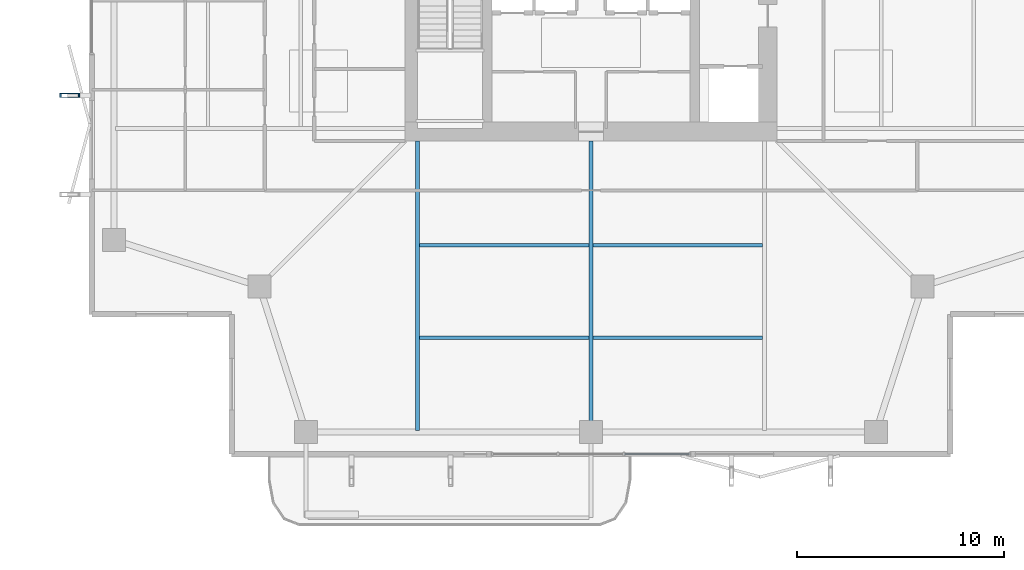
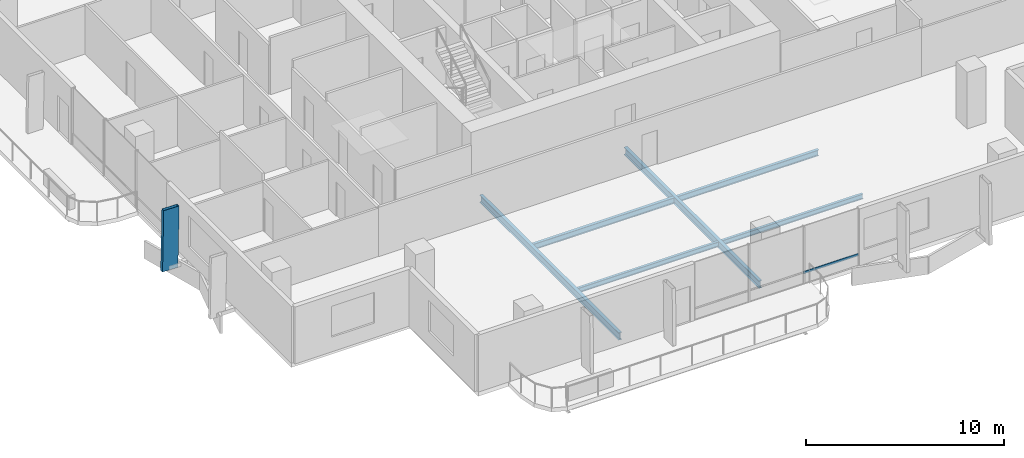
# One storey, part 3 of 25: 6 beams, 2 members, 1 element without a shape of its own.
"""IFC4 building model written with IfcOpenShell, lengths in metres."""

import ifcopenshell
import ifcopenshell.guid

model = None  # the IFC model being written
_history = None  # IfcOwnerHistory: only IFC2X3 demands one
_inside = {}  # id of a spatial element -> (the spatial element, [elements in it])
_under = {}  # id of a project, library or spatial element -> (it, [spatial elements below it])
_declared = {}  # id of a project -> (the project, [libraries it declares])
_typed = {}  # id of a type object -> (the type object, [elements of that type])
_made_of = {}  # id of a material, layer set ... -> (it, [elements and type objects made of it])


def new_model(schema):
    """Start an empty IFC model of exactly this schema.

    Asked for "IFC4X3", IfcOpenShell would pick the latest addendum, in which some entities
    have other attributes; the version numbers below select the first issue.
    IFC2X3 requires an IfcOwnerHistory on every rooted entity: one is made here for all.
    """
    global model, _history
    if schema == "IFC4X3":
        model = ifcopenshell.file(schema_version=(4, 3, 0, 0))
    else:
        model = ifcopenshell.file(schema=schema)
    _inside.clear()
    _under.clear()
    _declared.clear()
    _typed.clear()
    _made_of.clear()
    _history = None
    if model.schema == "IFC2X3":
        org = make("IfcOrganization", Name="unknown")
        user = make(
            "IfcPersonAndOrganization",
            ThePerson=make("IfcPerson", FamilyName="unknown"),
            TheOrganization=org,
        )
        app = make(
            "IfcApplication",
            ApplicationDeveloper=org,
            Version="unknown",
            ApplicationFullName="unknown",
            ApplicationIdentifier="unknown",
        )
        _history = make(
            "IfcOwnerHistory",
            OwningUser=user,
            OwningApplication=app,
            ChangeAction="ADDED",
            CreationDate=0,
        )
    return model


def make(cls, **values):
    """One entity of the class cls with the attributes given. An attribute that is None is left unset."""
    return model.create_entity(
        cls, **{name: value for name, value in values.items() if value is not None}
    )


def rooted(cls, **values):
    """An entity with a GlobalId (a new one), such as an element, a storey or a relation."""
    return make(cls, GlobalId=ifcopenshell.guid.new(), OwnerHistory=_history, **values)


def si_unit(unit_type, name, prefix=None):
    """IfcSIUnit, for example si_unit("LENGTHUNIT", "METRE", prefix="MILLI")."""
    return make("IfcSIUnit", UnitType=unit_type, Prefix=prefix, Name=name)


def assignment(units):
    """IfcUnitAssignment: the units of a project."""
    return None if units is None else make("IfcUnitAssignment", Units=units)


def point(xyz):
    """IfcCartesianPoint."""
    return None if xyz is None else make("IfcCartesianPoint", Coordinates=xyz)


def direction(xyz):
    """IfcDirection."""
    return None if xyz is None else make("IfcDirection", DirectionRatios=xyz)


def frame(location, z_axis=None, x_axis=None):
    """IfcAxis2Placement3D, a coordinate frame: its origin and axes. An axis left out is left unset."""
    return make(
        "IfcAxis2Placement3D",
        Location=point(location),
        Axis=direction(z_axis),
        RefDirection=direction(x_axis),
    )


def frame_2d(location, x_axis=None):
    """IfcAxis2Placement2D, a coordinate frame in the plane: its origin and x axis."""
    return make(
        "IfcAxis2Placement2D", Location=point(location), RefDirection=direction(x_axis)
    )


def origin():
    """The frame at (0, 0, 0) with its axes left unset."""
    return frame((0.0, 0.0, 0.0))


def origin_2d():
    """The frame at (0, 0) in the plane with its x axis left unset."""
    return frame_2d((0.0, 0.0))


def place(relative_to, where):
    """IfcLocalPlacement: puts the frame where relative to a parent placement (None: the world)."""
    return make(
        "IfcLocalPlacement", PlacementRelTo=relative_to, RelativePlacement=where
    )


def context(
    kind, dimensions, precision=None, world=None, true_north=None, identifier=None
):
    """IfcGeometricRepresentationContext, for example the 3D "Model" context."""
    return make(
        "IfcGeometricRepresentationContext",
        ContextIdentifier=identifier,
        ContextType=kind,
        CoordinateSpaceDimension=dimensions,
        Precision=precision,
        WorldCoordinateSystem=world,
        TrueNorth=true_north,
    )


def subcontext(parent, identifier, kind, view, scale=None):
    """IfcGeometricRepresentationSubContext, for example "Body" below "Model"."""
    return make(
        "IfcGeometricRepresentationSubContext",
        ContextIdentifier=identifier,
        ContextType=kind,
        ParentContext=parent,
        TargetScale=scale,
        TargetView=view,
    )


def project(units=None, contexts=None):
    """IfcProject with its units and contexts."""
    return rooted(
        "IfcProject",
        Name="project",
        RepresentationContexts=contexts,
        UnitsInContext=assignment(units),
    )


def spatial(cls, under=None, at=None, **own):
    """A site, building, storey or space (cls), placed at a placement, below another one or the project."""
    s = rooted(cls, ObjectPlacement=at, **own)
    if under is not None:
        _under.setdefault(under.id(), (under, []))[1].append(s)
    return s


def profile(cls, at=None, kind="AREA", **sizes):
    """A parametric profile (cls). Its sizes go by their IFC names, for example OverallWidth=200.0."""
    return make(cls, ProfileType=kind, Position=at, **sizes)


def hollow_rectangle(**sizes):
    """IfcRectangleHollowProfileDef."""
    return profile("IfcRectangleHollowProfileDef", **sizes)


def i_section(**sizes):
    """IfcIShapeProfileDef."""
    return profile("IfcIShapeProfileDef", **sizes)


def extrude(swept, where, along, depth):
    """IfcExtrudedAreaSolid: the profile swept, set in the frame where, extruded along a direction by depth."""
    return make(
        "IfcExtrudedAreaSolid",
        SweptArea=swept,
        Position=where,
        ExtrudedDirection=direction(along),
        Depth=depth,
    )


def shape(context_of_items, identifier, shape_type, items):
    """IfcShapeRepresentation: the items that make up one representation, for example the "Body"."""
    return make(
        "IfcShapeRepresentation",
        ContextOfItems=context_of_items,
        RepresentationIdentifier=identifier,
        RepresentationType=shape_type,
        Items=items,
    )


def material(Name=None, Category=None):
    """IfcMaterial."""
    return make("IfcMaterial", Name=Name, Category=Category)


def layer(
    of_material, thickness, ventilated=None, Name=None, Category=None, Priority=None
):
    """IfcMaterialLayer: one layer of a wall or slab, of a material (None: an air gap)."""
    return make(
        "IfcMaterialLayer",
        Material=of_material,
        LayerThickness=thickness,
        IsVentilated=ventilated,
        Name=Name,
        Category=Category,
        Priority=Priority,
    )


def layer_set(layers, Name=None):
    """IfcMaterialLayerSet."""
    return make("IfcMaterialLayerSet", MaterialLayers=layers, LayerSetName=Name)


def material_profile(
    of_material, cross_section, Name=None, Category=None, Priority=None
):
    """IfcMaterialProfile: a cross section and its material."""
    return make(
        "IfcMaterialProfile",
        Name=Name,
        Material=of_material,
        Profile=cross_section,
        Priority=Priority,
        Category=Category,
    )


def profile_set(profiles, Name=None, composite=None):
    """IfcMaterialProfileSet."""
    return make(
        "IfcMaterialProfileSet",
        Name=Name,
        MaterialProfiles=profiles,
        CompositeProfile=composite,
    )


def made_of(thing, what):
    """Note that an element or type object is made of a material, layer set ...; save() writes the relation."""
    if what is not None:
        _made_of.setdefault(what.id(), (what, []))[1].append(thing)
    return thing


def type_object(cls, material=None, **own):
    """A type object (cls), such as IfcWallType, which elements share."""
    return made_of(rooted(cls, **own), material)


def element(
    cls,
    number,
    at=None,
    inside=None,
    cuts=None,
    type_object=None,
    material=None,
    context=None,
    identifier="Body",
    shape_type=None,
    held_by="IfcProductDefinitionShape",
    body=None,
    shapes=None,
    **own,
):
    """One element of the class cls, such as IfcWall. Its Tag is "e" and its number.

    at: its placement. inside: the storey or other place that contains it. cuts: it is an
    opening in that element (IfcRelVoidsElement). A single representation is given by context,
    identifier, shape_type and body (its items); several are given by shapes. held_by: the class
    of the entity that holds the representations. save() writes the other relations.
    """
    e = rooted(cls, Tag="e%d" % number, ObjectPlacement=at, **own)
    if body is not None:
        shapes = [shape(context, identifier, shape_type, body)]
    if shapes is not None:
        e.Representation = make(held_by, Representations=shapes)
    if inside is not None:
        _inside.setdefault(inside.id(), (inside, []))[1].append(e)
    if cuts is not None:
        rooted(
            "IfcRelVoidsElement", RelatingBuildingElement=cuts, RelatedOpeningElement=e
        )
    if type_object is not None:
        _typed.setdefault(type_object.id(), (type_object, []))[1].append(e)
    return made_of(e, material)


def aggregate(whole, parts):
    """IfcRelAggregates: a whole, such as a stair, and the parts it consists of."""
    return rooted("IfcRelAggregates", RelatingObject=whole, RelatedObjects=parts)


def save(model, path):
    """Write the relations noted so far, then the file.

    IfcRelAggregates (storeys below a building ...), IfcRelContainedInSpatialStructure (elements
    in a storey), IfcRelDefinesByType, IfcRelAssociatesMaterial and IfcRelDeclares: one each for
    every whole, place, type object, material and project.
    """
    for whole, parts in _under.values():
        aggregate(whole, parts)
    for where, things in _inside.values():
        rooted(
            "IfcRelContainedInSpatialStructure",
            RelatedElements=things,
            RelatingStructure=where,
        )
    for kind, things in _typed.values():
        rooted("IfcRelDefinesByType", RelatedObjects=things, RelatingType=kind)
    for what, things in _made_of.values():
        rooted("IfcRelAssociatesMaterial", RelatedObjects=things, RelatingMaterial=what)
    for by, libraries in _declared.values():
        rooted("IfcRelDeclares", RelatingContext=by, RelatedDefinitions=libraries)
    model.write(path)


model = new_model("IFC4")

# Units and contexts
model_context = context("Model", 3, precision=1e-05, world=origin(), true_north=direction((0.0, 1.0)))
body_context = subcontext(model_context, "Body", "Model", "MODEL_VIEW")
ifc_project = project(units=[si_unit("LENGTHUNIT", "METRE"), si_unit("AREAUNIT", "SQUARE_METRE"), si_unit("VOLUMEUNIT", "CUBIC_METRE"), si_unit("PLANEANGLEUNIT", "RADIAN"), si_unit("MASSUNIT", "GRAM", prefix="KILO")], contexts=[model_context])

# Site, building, storey
site_placement = place(None, origin())
site = spatial("IfcSite", under=ifc_project, at=site_placement, CompositionType="ELEMENT")
building_placement = place(site_placement, origin())
building = spatial("IfcBuilding", under=site, at=building_placement, Name="Belovzor Exchange Tower", CompositionType="ELEMENT")
storey_placement = place(building_placement, frame((0.0, 0.0, 172.050048828125)))
storey = spatial("IfcBuildingStorey", under=building, at=storey_placement, Name="L42", CompositionType="ELEMENT", Elevation=172.050048828125)

# Beams
ifc_material_1 = material(Name="Steel S355", Category="steel")
ifc_material_profile_1 = material_profile(ifc_material_1, i_section(OverallWidth=0.169921875, OverallDepth=0.360107421875, WebThickness=0.008056640625, FlangeThickness=0.0126953125, at=origin_2d()))
ifc_profile_set_1 = profile_set([ifc_material_profile_1], Name="Steel S355")
beam_type_1 = type_object("IfcBeamType", Name="Secondary Infill Floor Joist IPE 360", PredefinedType="BEAM", material=ifc_profile_set_1)
for number, where, z_axis, x_axis, name in (
    (1, (20.4951171875, 14.7509765625, -0.43505859375), (1.0, 0.0, 0.0), (0.0, 1.0, 0.0), "FJ-360 Secondary Infill Floor Joist IPE 360"),
    (2, (28.89501953125, 14.7509765625, -0.43505859375), (1.0, 0.0, 0.0), (0.0, 1.0, 0.0), "FJ-360 Secondary Infill Floor Joist IPE 360"),
):
    element("IfcBeam", number, at=place(storey_placement, frame(where, z_axis=z_axis, x_axis=x_axis)), inside=storey, type_object=beam_type_1, Name=name, PredefinedType="BEAM", context=body_context, shape_type="SweptSolid", body=[
        extrude(i_section(OverallWidth=0.169921875, OverallDepth=0.360107421875, WebThickness=0.008056640625, FlangeThickness=0.0126953125, at=origin_2d()), origin(), (0.0, 0.0, 1.0), 8.2099609375),
    ])
ifc_material_2 = material(Name="Steel S355", Category="steel")
ifc_material_profile_2 = material_profile(ifc_material_2, i_section(OverallWidth=0.14990234375, OverallDepth=0.300048828125, WebThickness=0.007080078125, FlangeThickness=0.0107421875, at=origin_2d()))
ifc_profile_set_2 = profile_set([ifc_material_profile_2], Name="Steel S355")
beam_type_2 = type_object("IfcBeamType", Name="Secondary Trim Floor Joist IPE 300", PredefinedType="BEAM", material=ifc_profile_set_2)
for number, where, z_axis, x_axis, name in (
    (3, (20.4951171875, 10.262939453125, -0.405029296875), (1.0, 0.0, 0.0), (0.0, 1.0, 0.0), "FJ-300 Secondary Trim Floor Joist IPE 300"),
    (4, (28.89501953125, 10.262939453125, -0.405029296875), (1.0, 0.0, 0.0), (0.0, 1.0, 0.0), "FJ-300 Secondary Trim Floor Joist IPE 300"),
):
    element("IfcBeam", number, at=place(storey_placement, frame(where, z_axis=z_axis, x_axis=x_axis)), inside=storey, type_object=beam_type_2, Name=name, PredefinedType="BEAM", context=body_context, shape_type="SweptSolid", body=[
        extrude(i_section(OverallWidth=0.14990234375, OverallDepth=0.300048828125, WebThickness=0.007080078125, FlangeThickness=0.0107421875, at=origin_2d()), origin(), (0.0, 0.0, 1.0), 8.2099609375),
    ])

# Member
ifc_material_3 = material(Name="Extruded Architectural Terracotta on Steel S355 Carrier", Category="masonry")
ifc_material_profile_3 = material_profile(ifc_material_3, hollow_rectangle(XDim=0.199951171875, YDim=0.89990234375, WallThickness=0.011962890625, at=origin_2d()))
ifc_profile_set_3 = profile_set([ifc_material_profile_3], Name="Extruded Architectural Terracotta on Steel S355 Carrier")
member_type_1 = type_object("IfcMemberType", Name="Sweeping Terracotta Baguette Fin Assembly 1250", PredefinedType="USERDEFINED", material=ifc_profile_set_3)
member_1_placement = place(storey_placement, frame((3.51904296875, 22.0, -0.255126953125), z_axis=(0.018681635002, 0.0, 0.999825483029), x_axis=(0.0, 1.0, 0.0)))
element("IfcMember", 5, at=member_1_placement, inside=storey, type_object=member_type_1, Name="FIN-TC125 Terracotta Facade Fin L42 W2", ObjectType="FIN", PredefinedType="USERDEFINED", context=body_context, shape_type="SweptSolid", body=[
    extrude(hollow_rectangle(XDim=0.199951171875, YDim=0.89990234375, WallThickness=0.011962890625, at=origin_2d()), origin(), (0.0, 0.0, 1.0), 3.750732421875),
])

# Curtain wall, member
ifc_material_4 = material(Name="Anodised Aluminium Framing", Category="aluminium")
ifc_layer = layer(ifc_material_4, 0.179931640625)
ifc_layer_set = layer_set([ifc_layer], Name="Anodised Aluminium Framing")
curtain_wall_type = type_object("IfcCurtainWallType", Name="Recessed Loggia Low-Iron Triple-Glazed Curtain Wall", PredefinedType="NOTDEFINED", material=ifc_layer_set)
curtain_wall_placement = place(storey_placement, origin())
curtain_wall = element("IfcCurtainWall", 6, at=curtain_wall_placement, inside=storey, type_object=curtain_wall_type, Name="CW3 Recessed Loggia Low-Iron Triple-Glazed Curtain Wall L42", PredefinedType="NOTDEFINED")
ifc_material_5 = material(Name="Steel S355", Category="steel")
ifc_material_profile_4 = material_profile(ifc_material_5, hollow_rectangle(XDim=0.06005859375, YDim=0.14990234375, WallThickness=0.00390625, at=origin_2d()))
ifc_profile_set_4 = profile_set([ifc_material_profile_4], Name="Steel S355")
member_type_2 = type_object("IfcMemberType", Name="Thermally Broken Curtain Wall Transom 150x60", PredefinedType="USERDEFINED", material=ifc_profile_set_4)
member_2_placement = place(storey_placement, frame((33.592041015625, 4.6298828125, 0.62890625), z_axis=(-1.0, 0.0, 0.0), x_axis=(0.0, -1.0, 0.0)))
member_2 = element("IfcMember", 7, at=member_2_placement, type_object=member_type_2, Name="CW-T150 Curtain Wall Transom 1", ObjectType="TRANSOM", PredefinedType="USERDEFINED", context=body_context, shape_type="SweptSolid", body=[
    extrude(hollow_rectangle(XDim=0.06005859375, YDim=0.14990234375, WallThickness=0.00390625, at=origin_2d()), origin(), (0.0, 0.0, 1.0), 3.18408203125),
])
aggregate(curtain_wall, [member_2])

# Beams
ifc_material_6 = material(Name="Steel S355", Category="steel")
ifc_material_profile_5 = material_profile(ifc_material_6, i_section(OverallWidth=0.18994140625, OverallDepth=0.449951171875, WebThickness=0.009521484375, FlangeThickness=0.0146484375, at=origin_2d()))
ifc_profile_set_5 = profile_set([ifc_material_profile_5], Name="Steel S355")
beam_type_3 = type_object("IfcBeamType", Name="Zone 2-4 Radial Composite Floor Beam IPE 450", PredefinedType="BEAM", material=ifc_profile_set_5)
beam_1_placement = place(storey_placement, frame((20.39990234375, 19.800048828125, -0.47998046875), z_axis=(0.0, -1.0, 0.0), x_axis=(1.0, 0.0, 0.0)))
element("IfcBeam", 8, at=beam_1_placement, inside=storey, type_object=beam_type_3, Name="FB-450 Zone 2-4 Radial Composite Floor Beam IPE 450", PredefinedType="BEAM", context=body_context, shape_type="SweptSolid", body=[
    extrude(i_section(OverallWidth=0.18994140625, OverallDepth=0.449951171875, WebThickness=0.009521484375, FlangeThickness=0.0146484375, at=origin_2d()), origin(), (0.0, 0.0, 1.0), 14.025146484375),
])
beam_2_placement = place(storey_placement, frame((28.800048828125, 19.800048828125, -0.47998046875), z_axis=(0.0, -1.0, 0.0), x_axis=(1.0, 0.0, 0.0)))
element("IfcBeam", 9, at=beam_2_placement, inside=storey, type_object=beam_type_3, Name="FB-450 Zone 2-4 Radial Composite Floor Beam IPE 450", PredefinedType="BEAM", context=body_context, shape_type="SweptSolid", body=[
    extrude(i_section(OverallWidth=0.18994140625, OverallDepth=0.449951171875, WebThickness=0.009521484375, FlangeThickness=0.0146484375, at=origin_2d()), origin(), (0.0, 0.0, 1.0), 13.615966796875),
])

save(model, "model.ifc")
